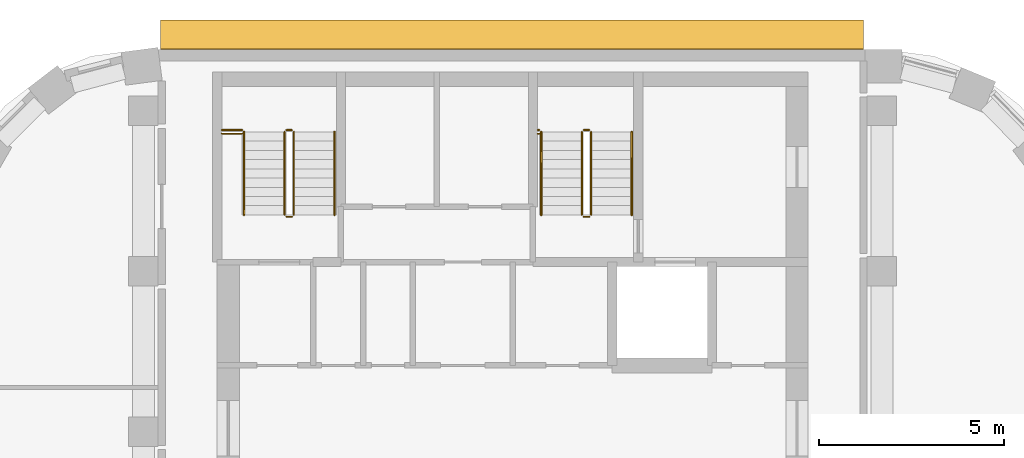
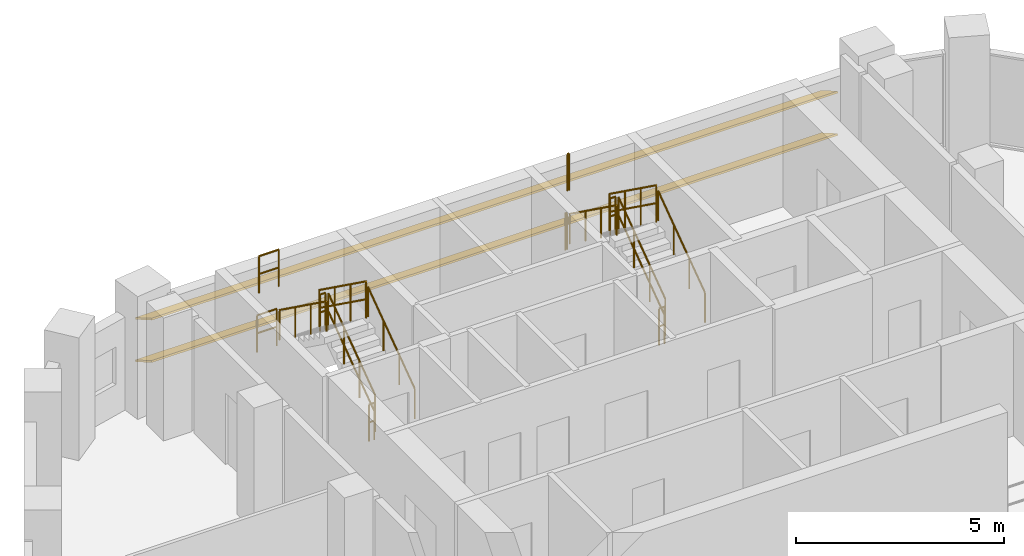
# One storey, part 13 of 13: 16 railings, 2 shading devices.
"""IFC4 building model written with IfcOpenShell, lengths in metres."""

from ifc_helpers import new_model, si_unit, direction, frame, origin, origin_2d, place, context, subcontext, project, spatial, rectangle, circle, extrude, material, material_profile, profile_set, type_object, element, save


model = new_model("IFC4")

# Units and contexts
model_context = context("Model", 3, precision=1e-05, world=origin(), true_north=direction((0.0, 1.0)))
body_context = subcontext(model_context, "Body", "Model", "MODEL_VIEW")
ifc_project = project(units=[si_unit("LENGTHUNIT", "METRE"), si_unit("AREAUNIT", "SQUARE_METRE"), si_unit("VOLUMEUNIT", "CUBIC_METRE"), si_unit("PLANEANGLEUNIT", "RADIAN"), si_unit("MASSUNIT", "GRAM", prefix="KILO")], contexts=[model_context])

# Site, building, storey
site_placement = place(None, origin())
site = spatial("IfcSite", under=ifc_project, at=site_placement, CompositionType="ELEMENT")
building_placement = place(site_placement, origin())
building = spatial("IfcBuilding", under=site, at=building_placement, Name="Nakaniwa Court", CompositionType="ELEMENT")
storey_placement = place(building_placement, frame((0.0, 0.0, 286.800048828125)))
storey = spatial("IfcBuildingStorey", under=building, at=storey_placement, Name="C05", CompositionType="ELEMENT", Elevation=286.800048828125)

# Shading devices
ifc_material_1 = material(Name="Perforated charcoal ceramic louvre blade")
ifc_material_profile = material_profile(ifc_material_1, rectangle(XDim=0.89990234375, YDim=0.050048828125, at=origin_2d()), Name="Perforated ceramic louvre blade")
ifc_profile_set = profile_set([ifc_material_profile], Name="Perforated charcoal ceramic louvre blade")
shading_device_type = type_object("IfcShadingDeviceType", Name="Perforated ceramic louvre blade", PredefinedType="JALOUSIE", material=ifc_profile_set)
for number, where, z_axis, x_axis, name in (
    (1, (89.499267578125, 103.05224609375, 0.550048828125), (-1.0, 0.0, 0.0), (0.0, -0.866025403784, 0.5), "C05 perforated ceramic louvre blade w23 1"),
    (2, (89.499267578125, 103.05224609375, 1.793212890625), (-1.0, 0.0, 0.0), (0.0, -0.866025403784, 0.5), "C05 perforated ceramic louvre blade w23 2"),
):
    element("IfcShadingDevice", number, at=place(storey_placement, frame(where, z_axis=z_axis, x_axis=x_axis)), inside=storey, type_object=shading_device_type, Name=name, PredefinedType="JALOUSIE", context=body_context, shape_type="SweptSolid", body=[
        extrude(rectangle(XDim=0.89990234375, YDim=0.050048828125, at=origin_2d()), origin(), (0.0, 0.0, 1.0), 19.03369140625),
    ])

# Railings
ifc_material_2 = material(Name="Black powder coated steel guard", Category="steel")
railing_type_1 = type_object("IfcRailingType", Name="Stair guard 1100", PredefinedType="GUARDRAIL", material=ifc_material_2)
railing_1_placement = place(storey_placement, frame((74.074951171875, 98.175048828125, 0.179931640625)))
element("IfcRailing", 3, at=railing_1_placement, inside=storey, type_object=railing_type_1, Name="C05 ST1 stair guard 1", PredefinedType="GUARDRAIL", context=body_context, shape_type="SweptSolid", body=[
    extrude(circle(Radius=0.02392578125, at=origin_2d()), frame((0.0, 0.0, 1.076171875), z_axis=(0.0, 0.811514298965, 0.584332561625), x_axis=(-1.0, 0.0, 0.0)), (0.0, 0.0, 1.0), 2.772705078125),
    extrude(circle(Radius=0.02392578125, at=origin_2d()), frame((0.0, 0.0, 0.550048828125), z_axis=(0.0, 0.811514298965, 0.584332561625), x_axis=(-1.0, 0.0, 0.0)), (0.0, 0.0, 1.0), 2.772705078125),
    extrude(circle(Radius=0.02099609375, at=origin_2d()), origin(), (0.0, 0.0, 1.0), 1.052001953125),
    extrude(circle(Radius=0.02099609375, at=origin_2d()), frame((0.0, 0.75, 0.5400390625)), (0.0, 0.0, 1.0), 1.052001953125),
    extrude(circle(Radius=0.02099609375, at=origin_2d()), frame((0.0, 1.5, 1.080078125)), (0.0, 0.0, 1.0), 1.052001953125),
    extrude(circle(Radius=0.02099609375, at=origin_2d()), frame((0.0, 2.25, 1.6201171875)), (0.0, 0.0, 1.0), 1.052001953125),
])
railing_2_placement = place(storey_placement, frame((74.02490234375, 100.47509765625, 1.800048828125)))
element("IfcRailing", 4, at=railing_2_placement, inside=storey, type_object=railing_type_1, Name="C05 ST1 stair guard 2", PredefinedType="GUARDRAIL", context=body_context, shape_type="SweptSolid", body=[
    extrude(circle(Radius=0.02392578125, at=origin_2d()), frame((0.0, 0.0, 1.076171875), z_axis=(-1.0, 0.0, 0.0), x_axis=(0.0, -1.0, 0.0)), (0.0, 0.0, 1.0), 0.14990234375),
    extrude(circle(Radius=0.02392578125, at=origin_2d()), frame((0.0, 0.0, 0.550048828125), z_axis=(-1.0, 0.0, 0.0), x_axis=(0.0, -1.0, 0.0)), (0.0, 0.0, 1.0), 0.14990234375),
    extrude(circle(Radius=0.02099609375, at=origin_2d()), origin(), (0.0, 0.0, 1.0), 1.052001953125),
    extrude(circle(Radius=0.02099609375, at=origin_2d()), frame((-0.14990234375, 0.0, 0.0)), (0.0, 0.0, 1.0), 1.052001953125),
])
railing_3_placement = place(storey_placement, frame((73.824951171875, 100.425048828125, 1.97998046875)))
element("IfcRailing", 5, at=railing_3_placement, inside=storey, type_object=railing_type_1, Name="C05 ST1 stair guard 3", PredefinedType="GUARDRAIL", context=body_context, shape_type="SweptSolid", body=[
    extrude(circle(Radius=0.02392578125, at=origin_2d()), frame((0.0, 0.0, 1.076171875), z_axis=(0.0, -0.811556054185, 0.58427456809), x_axis=(1.0, 0.0, 0.0)), (0.0, 0.0, 1.0), 2.7724609375),
    extrude(circle(Radius=0.02392578125, at=origin_2d()), frame((0.0, 0.0, 0.550048828125), z_axis=(0.0, -0.811556054185, 0.58427456809), x_axis=(1.0, 0.0, 0.0)), (0.0, 0.0, 1.0), 2.7724609375),
    extrude(circle(Radius=0.02099609375, at=origin_2d()), origin(), (0.0, 0.0, 1.0), 1.052001953125),
    extrude(circle(Radius=0.02099609375, at=origin_2d()), frame((0.0, -0.75, 0.5400390625)), (0.0, 0.0, 1.0), 1.052001953125),
    extrude(circle(Radius=0.02099609375, at=origin_2d()), frame((0.0, -1.5, 1.079833984375)), (0.0, 0.0, 1.0), 1.052001953125),
    extrude(circle(Radius=0.02099609375, at=origin_2d()), frame((0.0, -2.25, 1.619873046875)), (0.0, 0.0, 1.0), 1.052001953125),
])
railing_4_placement = place(storey_placement, frame((74.02490234375, 98.125, 0.0)))
element("IfcRailing", 6, at=railing_4_placement, inside=storey, type_object=railing_type_1, Name="C05 ST1 stair guard 4", PredefinedType="GUARDRAIL", context=body_context, shape_type="SweptSolid", body=[
    extrude(circle(Radius=0.02392578125, at=origin_2d()), frame((0.0, 0.0, 1.076171875), z_axis=(-1.0, 0.0, 0.0), x_axis=(0.0, -1.0, 0.0)), (0.0, 0.0, 1.0), 0.14990234375),
    extrude(circle(Radius=0.02392578125, at=origin_2d()), frame((0.0, 0.0, 0.550048828125), z_axis=(-1.0, 0.0, 0.0), x_axis=(0.0, -1.0, 0.0)), (0.0, 0.0, 1.0), 0.14990234375),
    extrude(circle(Radius=0.02099609375, at=origin_2d()), origin(), (0.0, 0.0, 1.0), 1.052001953125),
    extrude(circle(Radius=0.02099609375, at=origin_2d()), frame((-0.14990234375, 0.0, 0.0)), (0.0, 0.0, 1.0), 1.052001953125),
])
for number, where, name in (
    (7, (72.125, 100.47509765625, 1.800048828125), "C05 ST1 landing side guard 1W"),
    (8, (72.125, 100.375, 3.599853515625), "C05 ST1 floor edge guard 1W"),
):
    element("IfcRailing", number, at=place(storey_placement, frame(where)), inside=storey, type_object=railing_type_1, Name=name, PredefinedType="GUARDRAIL", context=body_context, shape_type="SweptSolid", body=[
        extrude(circle(Radius=0.02392578125, at=origin_2d()), frame((0.0, 0.0, 1.076171875), z_axis=(1.0, 0.0, 0.0), x_axis=(0.0, 1.0, 0.0)), (0.0, 0.0, 1.0), 0.550048828125),
        extrude(circle(Radius=0.02392578125, at=origin_2d()), frame((0.0, 0.0, 0.550048828125), z_axis=(1.0, 0.0, 0.0), x_axis=(0.0, 1.0, 0.0)), (0.0, 0.0, 1.0), 0.550048828125),
        extrude(circle(Radius=0.02099609375, at=origin_2d()), origin(), (0.0, 0.0, 1.0), 1.052001953125),
        extrude(circle(Radius=0.02099609375, at=origin_2d()), frame((0.550048828125, 0.0, 0.0)), (0.0, 0.0, 1.0), 1.052001953125),
    ])
railing_5_placement = place(storey_placement, frame((82.125, 98.175048828125, 0.179931640625)))
element("IfcRailing", 9, at=railing_5_placement, inside=storey, type_object=railing_type_1, Name="C05 ST2 stair guard 1", PredefinedType="GUARDRAIL", context=body_context, shape_type="SweptSolid", body=[
    extrude(circle(Radius=0.02392578125, at=origin_2d()), frame((0.0, 0.0, 1.076171875), z_axis=(0.0, 0.811514298965, 0.584332561625), x_axis=(-1.0, 0.0, 0.0)), (0.0, 0.0, 1.0), 2.772705078125),
    extrude(circle(Radius=0.02392578125, at=origin_2d()), frame((0.0, 0.0, 0.550048828125), z_axis=(0.0, 0.811514298965, 0.584332561625), x_axis=(-1.0, 0.0, 0.0)), (0.0, 0.0, 1.0), 2.772705078125),
    extrude(circle(Radius=0.02099609375, at=origin_2d()), origin(), (0.0, 0.0, 1.0), 1.052001953125),
    extrude(circle(Radius=0.02099609375, at=origin_2d()), frame((0.0, 0.75, 0.5400390625)), (0.0, 0.0, 1.0), 1.052001953125),
    extrude(circle(Radius=0.02099609375, at=origin_2d()), frame((0.0, 1.5, 1.080078125)), (0.0, 0.0, 1.0), 1.052001953125),
    extrude(circle(Radius=0.02099609375, at=origin_2d()), frame((0.0, 2.25, 1.6201171875)), (0.0, 0.0, 1.0), 1.052001953125),
])
railing_6_placement = place(storey_placement, frame((82.074951171875, 100.47509765625, 1.800048828125)))
element("IfcRailing", 10, at=railing_6_placement, inside=storey, type_object=railing_type_1, Name="C05 ST2 stair guard 2", PredefinedType="GUARDRAIL", context=body_context, shape_type="SweptSolid", body=[
    extrude(circle(Radius=0.02392578125, at=origin_2d()), frame((0.0, 0.0, 1.076171875), z_axis=(-1.0, 0.0, 0.0), x_axis=(0.0, -1.0, 0.0)), (0.0, 0.0, 1.0), 0.14990234375),
    extrude(circle(Radius=0.02392578125, at=origin_2d()), frame((0.0, 0.0, 0.550048828125), z_axis=(-1.0, 0.0, 0.0), x_axis=(0.0, -1.0, 0.0)), (0.0, 0.0, 1.0), 0.14990234375),
    extrude(circle(Radius=0.02099609375, at=origin_2d()), origin(), (0.0, 0.0, 1.0), 1.052001953125),
    extrude(circle(Radius=0.02099609375, at=origin_2d()), frame((-0.14990234375, 0.0, 0.0)), (0.0, 0.0, 1.0), 1.052001953125),
])
railing_7_placement = place(storey_placement, frame((81.875, 100.425048828125, 1.97998046875)))
element("IfcRailing", 11, at=railing_7_placement, inside=storey, type_object=railing_type_1, Name="C05 ST2 stair guard 3", PredefinedType="GUARDRAIL", context=body_context, shape_type="SweptSolid", body=[
    extrude(circle(Radius=0.02392578125, at=origin_2d()), frame((0.0, 0.0, 1.076171875), z_axis=(0.0, -0.811556054185, 0.58427456809), x_axis=(1.0, 0.0, 0.0)), (0.0, 0.0, 1.0), 2.7724609375),
    extrude(circle(Radius=0.02392578125, at=origin_2d()), frame((0.0, 0.0, 0.550048828125), z_axis=(0.0, -0.811556054185, 0.58427456809), x_axis=(1.0, 0.0, 0.0)), (0.0, 0.0, 1.0), 2.7724609375),
    extrude(circle(Radius=0.02099609375, at=origin_2d()), origin(), (0.0, 0.0, 1.0), 1.052001953125),
    extrude(circle(Radius=0.02099609375, at=origin_2d()), frame((0.0, -0.75, 0.5400390625)), (0.0, 0.0, 1.0), 1.052001953125),
    extrude(circle(Radius=0.02099609375, at=origin_2d()), frame((0.0, -1.5, 1.079833984375)), (0.0, 0.0, 1.0), 1.052001953125),
    extrude(circle(Radius=0.02099609375, at=origin_2d()), frame((0.0, -2.25, 1.619873046875)), (0.0, 0.0, 1.0), 1.052001953125),
])
railing_8_placement = place(storey_placement, frame((82.074951171875, 98.125, 0.0)))
element("IfcRailing", 12, at=railing_8_placement, inside=storey, type_object=railing_type_1, Name="C05 ST2 stair guard 4", PredefinedType="GUARDRAIL", context=body_context, shape_type="SweptSolid", body=[
    extrude(circle(Radius=0.02392578125, at=origin_2d()), frame((0.0, 0.0, 1.076171875), z_axis=(-1.0, 0.0, 0.0), x_axis=(0.0, -1.0, 0.0)), (0.0, 0.0, 1.0), 0.14990234375),
    extrude(circle(Radius=0.02392578125, at=origin_2d()), frame((0.0, 0.0, 0.550048828125), z_axis=(-1.0, 0.0, 0.0), x_axis=(0.0, -1.0, 0.0)), (0.0, 0.0, 1.0), 0.14990234375),
    extrude(circle(Radius=0.02099609375, at=origin_2d()), origin(), (0.0, 0.0, 1.0), 1.052001953125),
    extrude(circle(Radius=0.02099609375, at=origin_2d()), frame((-0.14990234375, 0.0, 0.0)), (0.0, 0.0, 1.0), 1.052001953125),
])
for number, where, name in (
    (13, (80.675048828125, 100.47509765625, 1.800048828125), "C05 ST2 landing side guard 1W"),
    (14, (80.675048828125, 100.375, 3.599853515625), "C05 ST2 floor edge guard 1W"),
):
    element("IfcRailing", number, at=place(storey_placement, frame(where)), inside=storey, type_object=railing_type_1, Name=name, PredefinedType="GUARDRAIL", context=body_context, shape_type="SweptSolid", body=[
        extrude(circle(Radius=0.02392578125, at=origin_2d()), frame((0.0, 0.0, 1.076171875), z_axis=(1.0, 0.0, 0.0), x_axis=(0.0, 1.0, 0.0)), (0.0, 0.0, 1.0), 0.050048828125),
        extrude(circle(Radius=0.02392578125, at=origin_2d()), frame((0.0, 0.0, 0.550048828125), z_axis=(1.0, 0.0, 0.0), x_axis=(0.0, 1.0, 0.0)), (0.0, 0.0, 1.0), 0.050048828125),
        extrude(circle(Radius=0.02099609375, at=origin_2d()), origin(), (0.0, 0.0, 1.0), 1.052001953125),
        extrude(circle(Radius=0.02099609375, at=origin_2d()), frame((0.050048828125, 0.0, 0.0)), (0.0, 0.0, 1.0), 1.052001953125),
    ])
ifc_material_3 = material(Name="Black powder coated steel handrail", Category="steel")
railing_type_2 = type_object("IfcRailingType", Name="Stair handrail 900", PredefinedType="HANDRAIL", material=ifc_material_3)
railing_9_placement = place(storey_placement, frame((75.175048828125, 98.175048828125, 0.179931640625)))
element("IfcRailing", 15, at=railing_9_placement, inside=storey, type_object=railing_type_2, Name="C05 ST1 stair handrail 1", PredefinedType="HANDRAIL", context=body_context, shape_type="SweptSolid", body=[
    extrude(circle(Radius=0.02392578125, at=origin_2d()), frame((0.0, 0.0, 0.8759765625), z_axis=(0.0, 0.811514298965, 0.584332561625), x_axis=(-1.0, 0.0, 0.0)), (0.0, 0.0, 1.0), 2.772705078125),
    extrude(circle(Radius=0.02099609375, at=origin_2d()), origin(), (0.0, 0.0, 1.0), 0.851806640625),
    extrude(circle(Radius=0.02099609375, at=origin_2d()), frame((0.0, 0.75, 0.5400390625)), (0.0, 0.0, 1.0), 0.851806640625),
    extrude(circle(Radius=0.02099609375, at=origin_2d()), frame((0.0, 1.5, 1.080078125)), (0.0, 0.0, 1.0), 0.851806640625),
    extrude(circle(Radius=0.02099609375, at=origin_2d()), frame((0.0, 2.25, 1.6201171875)), (0.0, 0.0, 1.0), 0.851806640625),
])
railing_10_placement = place(storey_placement, frame((72.72509765625, 100.425048828125, 1.97998046875)))
element("IfcRailing", 16, at=railing_10_placement, inside=storey, type_object=railing_type_2, Name="C05 ST1 stair handrail 2", PredefinedType="HANDRAIL", context=body_context, shape_type="SweptSolid", body=[
    extrude(circle(Radius=0.02392578125, at=origin_2d()), frame((0.0, 0.0, 0.8759765625), z_axis=(0.0, -0.811556054185, 0.58427456809), x_axis=(1.0, 0.0, 0.0)), (0.0, 0.0, 1.0), 2.7724609375),
    extrude(circle(Radius=0.02099609375, at=origin_2d()), origin(), (0.0, 0.0, 1.0), 0.851806640625),
    extrude(circle(Radius=0.02099609375, at=origin_2d()), frame((0.0, -0.75, 0.5400390625)), (0.0, 0.0, 1.0), 0.851806640625),
    extrude(circle(Radius=0.02099609375, at=origin_2d()), frame((0.0, -1.5, 1.079833984375)), (0.0, 0.0, 1.0), 0.851806640625),
    extrude(circle(Radius=0.02099609375, at=origin_2d()), frame((0.0, -2.25, 1.619873046875)), (0.0, 0.0, 1.0), 0.851806640625),
])
railing_11_placement = place(storey_placement, frame((83.22509765625, 98.175048828125, 0.179931640625)))
element("IfcRailing", 17, at=railing_11_placement, inside=storey, type_object=railing_type_2, Name="C05 ST2 stair handrail 1", PredefinedType="HANDRAIL", context=body_context, shape_type="SweptSolid", body=[
    extrude(circle(Radius=0.02392578125, at=origin_2d()), frame((0.0, 0.0, 0.8759765625), z_axis=(0.0, 0.811514298965, 0.584332561625), x_axis=(-1.0, 0.0, 0.0)), (0.0, 0.0, 1.0), 2.772705078125),
    extrude(circle(Radius=0.02099609375, at=origin_2d()), origin(), (0.0, 0.0, 1.0), 0.851806640625),
    extrude(circle(Radius=0.02099609375, at=origin_2d()), frame((0.0, 0.75, 0.5400390625)), (0.0, 0.0, 1.0), 0.851806640625),
    extrude(circle(Radius=0.02099609375, at=origin_2d()), frame((0.0, 1.5, 1.080078125)), (0.0, 0.0, 1.0), 0.851806640625),
    extrude(circle(Radius=0.02099609375, at=origin_2d()), frame((0.0, 2.25, 1.6201171875)), (0.0, 0.0, 1.0), 0.851806640625),
])
railing_12_placement = place(storey_placement, frame((80.77490234375, 100.425048828125, 1.97998046875)))
element("IfcRailing", 18, at=railing_12_placement, inside=storey, type_object=railing_type_2, Name="C05 ST2 stair handrail 2", PredefinedType="HANDRAIL", context=body_context, shape_type="SweptSolid", body=[
    extrude(circle(Radius=0.02392578125, at=origin_2d()), frame((0.0, 0.0, 0.8759765625), z_axis=(0.0, -0.811556054185, 0.58427456809), x_axis=(1.0, 0.0, 0.0)), (0.0, 0.0, 1.0), 2.7724609375),
    extrude(circle(Radius=0.02099609375, at=origin_2d()), origin(), (0.0, 0.0, 1.0), 0.851806640625),
    extrude(circle(Radius=0.02099609375, at=origin_2d()), frame((0.0, -0.75, 0.5400390625)), (0.0, 0.0, 1.0), 0.851806640625),
    extrude(circle(Radius=0.02099609375, at=origin_2d()), frame((0.0, -1.5, 1.079833984375)), (0.0, 0.0, 1.0), 0.851806640625),
    extrude(circle(Radius=0.02099609375, at=origin_2d()), frame((0.0, -2.25, 1.619873046875)), (0.0, 0.0, 1.0), 0.851806640625),
])

save(model, "model.ifc")
